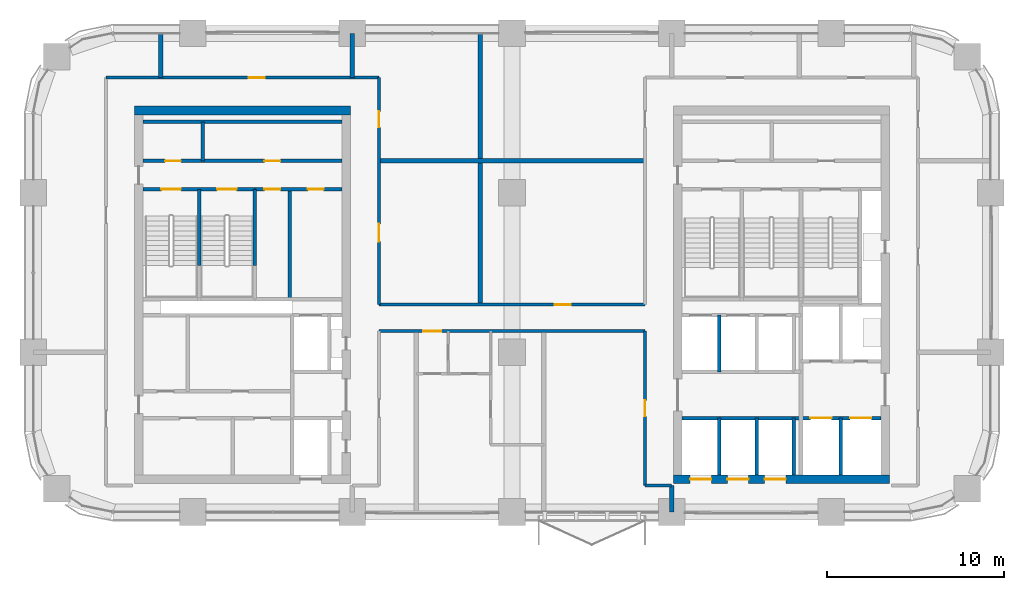
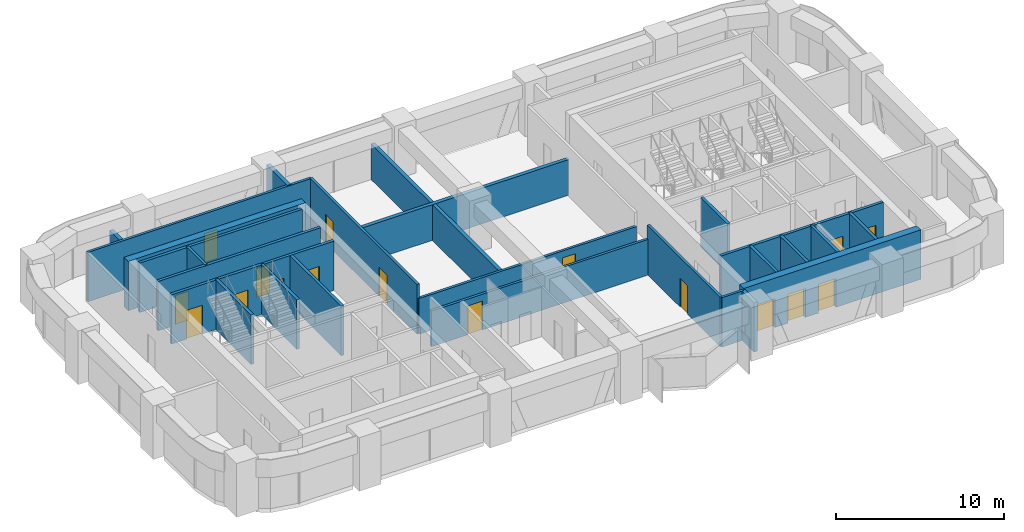
# One storey, part 10 of 14: 27 walls, 17 doors, 17 openings.
"""IFC4 building model written with IfcOpenShell, lengths in metres."""

from ifc_helpers import new_model, si_unit, direction, frame, frame_2d, origin, place, context, subcontext, project, spatial, rectangle, extrude, material, layer, layer_set, type_object, element, fill, save


model = new_model("IFC4")

# Units and contexts
model_context = context("Model", 3, precision=1e-05, world=origin(), true_north=direction((0.0, 1.0)))
body_context = subcontext(model_context, "Body", "Model", "MODEL_VIEW")
ifc_project = project(units=[si_unit("LENGTHUNIT", "METRE"), si_unit("AREAUNIT", "SQUARE_METRE"), si_unit("VOLUMEUNIT", "CUBIC_METRE"), si_unit("PLANEANGLEUNIT", "RADIAN"), si_unit("MASSUNIT", "GRAM", prefix="KILO")], contexts=[model_context])

# Site, building, storey
site_placement = place(None, origin())
site = spatial("IfcSite", under=ifc_project, at=site_placement, CompositionType="ELEMENT")
building_placement = place(site_placement, origin())
building = spatial("IfcBuilding", under=site, at=building_placement, Name="Tessera Arch", CompositionType="ELEMENT")
storey_placement = place(building_placement, frame((0.0, 0.0, 146.60009765625)))
storey = spatial("IfcBuildingStorey", under=building, at=storey_placement, Name="L34", CompositionType="ELEMENT", Elevation=146.60009765625)

# Walls
ifc_material_1 = material(Name="Gypsum board on steel stud", Category="steel")
ifc_layer_1 = layer(ifc_material_1, 0.125)
ifc_layer_set_1 = layer_set([ifc_layer_1], Name="Core partition 125 EI 60")
wall_type_1 = type_object("IfcWallType", Name="Core partition 125 EI 60", PredefinedType="PARTITIONING", material=ifc_layer_set_1)
wall_1_placement = place(storey_placement, frame((9.56005859375, 46.800048828125, 0.0), z_axis=(0.0, 0.0, 1.0), x_axis=(0.0, 1.0, 0.0)))
element("IfcWall", 1, at=wall_1_placement, inside=storey, type_object=wall_type_1, Name="L34 C2 partition wall 4", PredefinedType="PARTITIONING", context=body_context, shape_type="SweptSolid", body=[
    extrude(rectangle(XDim=2.199951171875, YDim=0.199951171875, at=frame_2d((1.10009765625, 0.0))), origin(), (0.0, 0.0, 1.0), 3.599853515625),
])
wall_2_placement = place(storey_placement, frame((14.4599609375, 39.0, 0.0), z_axis=(0.0, 0.0, 1.0), x_axis=(0.0, 1.0, 0.0)))
element("IfcWall", 2, at=wall_2_placement, inside=storey, type_object=wall_type_1, Name="L34 C2 partition wall 8", PredefinedType="PARTITIONING", context=body_context, shape_type="SweptSolid", body=[
    extrude(rectangle(XDim=6.199951171875, YDim=0.199951171875, at=frame_2d((3.10009765625, 0.0))), origin(), (0.0, 0.0, 1.0), 3.599853515625),
])

# Wall, openings, doors
wall_3_placement = place(storey_placement, frame((12.5, 45.199951171875, 0.0), z_axis=(0.0, 0.0, 1.0), x_axis=(1.0, 0.0, 0.0)))
wall_3 = element("IfcWall", 3, at=wall_3_placement, inside=storey, type_object=wall_type_1, Name="L34 C2 partition wall 23", PredefinedType="PARTITIONING", context=body_context, shape_type="SweptSolid", body=[
    extrude(rectangle(XDim=4.89990234375, YDim=0.199951171875, at=frame_2d((2.449951171875, 0.0))), origin(), (0.0, 0.0, 1.0), 3.599853515625),
])
opening_1_placement = place(wall_3_placement, frame((0.530029296875, 0.0, 0.0)))
opening_1 = element("IfcOpeningElement", 4, at=opening_1_placement, cuts=wall_3, Name="Opening L34-C31", PredefinedType="OPENING", context=body_context, shape_type="SweptSolid", body=[
    extrude(rectangle(XDim=0.89990234375, YDim=2.10009765625, at=frame_2d((0.449951171875, 1.050048828125))), frame((0.0, 0.10986328125, 0.0), z_axis=(0.0, -1.0, 0.0), x_axis=(1.0, 0.0, 0.0)), (0.0, 0.0, 1.0), 0.219970703125),
])
opening_2_placement = place(wall_3_placement, frame((2.97998046875, 0.0, 0.0)))
opening_2 = element("IfcOpeningElement", 5, at=opening_2_placement, cuts=wall_3, Name="Opening L34-C32", PredefinedType="OPENING", context=body_context, shape_type="SweptSolid", body=[
    extrude(rectangle(XDim=0.89990234375, YDim=2.10009765625, at=frame_2d((0.449951171875, 1.050048828125))), frame((0.0, 0.10986328125, 0.0), z_axis=(0.0, -1.0, 0.0), x_axis=(1.0, 0.0, 0.0)), (0.0, 0.0, 1.0), 0.219970703125),
])
ifc_material_2 = material(Name="Steel door leaf", Category="steel")
door_type_1 = type_object("IfcDoorType", Name="Store door FD30S 900 x 2100", OperationType="SINGLE_SWING_LEFT", PredefinedType="DOOR", material=ifc_material_2)
door_1_placement = place(opening_1_placement, origin())
door_1 = element("IfcDoor", 6, at=door_1_placement, inside=storey, type_object=door_type_1, Name="L34 C2 door 12 C31 type D09", OperationType="SINGLE_SWING_LEFT", OverallHeight=2.10009765625, OverallWidth=0.89990234375, PredefinedType="DOOR", context=body_context, shape_type="SweptSolid", body=[
    extrude(rectangle(XDim=0.89990234375, YDim=2.10009765625, at=frame_2d((0.449951171875, 1.050048828125))), frame((0.0, 0.02490234375, 0.0), z_axis=(0.0, -1.0, 0.0), x_axis=(1.0, 0.0, 0.0)), (0.0, 0.0, 1.0), 0.050048828125),
])
fill(opening_1, door_1)
door_2_placement = place(opening_2_placement, origin())
door_2 = element("IfcDoor", 7, at=door_2_placement, inside=storey, type_object=door_type_1, Name="L34 C2 door 13 C32 type D09", OperationType="SINGLE_SWING_RIGHT", OverallHeight=2.10009765625, OverallWidth=0.89990234375, PredefinedType="DOOR", context=body_context, shape_type="SweptSolid", body=[
    extrude(rectangle(XDim=0.89990234375, YDim=2.10009765625, at=frame_2d((0.449951171875, 1.050048828125))), frame((0.0, 0.02490234375, 0.0), z_axis=(0.0, -1.0, 0.0), x_axis=(1.0, 0.0, 0.0)), (0.0, 0.0, 1.0), 0.050048828125),
])
fill(opening_2, door_2)

wall_4_placement = place(storey_placement, frame((6.199951171875, 46.800048828125, 0.0), z_axis=(0.0, 0.0, 1.0), x_axis=(1.0, 0.0, 0.0)))
wall_4 = element("IfcWall", 8, at=wall_4_placement, inside=storey, type_object=wall_type_1, Name="L34 C2 partition wall 25", PredefinedType="PARTITIONING", context=body_context, shape_type="SweptSolid", body=[
    extrude(rectangle(XDim=11.199951171875, YDim=0.199951171875, at=frame_2d((5.60009765625, 0.0))), origin(), (0.0, 0.0, 1.0), 3.599853515625),
])
opening_3_placement = place(wall_4_placement, frame((1.22998046875, 0.0, 0.0)))
opening_3 = element("IfcOpeningElement", 9, at=opening_3_placement, cuts=wall_4, Name="Opening L34-C29", PredefinedType="OPENING", context=body_context, shape_type="SweptSolid", body=[
    extrude(rectangle(XDim=0.89990234375, YDim=2.10009765625, at=frame_2d((0.449951171875, 1.050048828125))), frame((0.0, 0.10986328125, 0.0), z_axis=(0.0, -1.0, 0.0), x_axis=(1.0, 0.0, 0.0)), (0.0, 0.0, 1.0), 0.219970703125),
])
opening_4_placement = place(wall_4_placement, frame((6.830078125, 0.0, 0.0)))
opening_4 = element("IfcOpeningElement", 10, at=opening_4_placement, cuts=wall_4, Name="Opening L34-C30", PredefinedType="OPENING", context=body_context, shape_type="SweptSolid", body=[
    extrude(rectangle(XDim=0.89990234375, YDim=2.10009765625, at=frame_2d((0.449951171875, 1.050048828125))), frame((0.0, 0.10986328125, 0.0), z_axis=(0.0, -1.0, 0.0), x_axis=(1.0, 0.0, 0.0)), (0.0, 0.0, 1.0), 0.219970703125),
])
door_3_placement = place(opening_3_placement, origin())
door_3 = element("IfcDoor", 11, at=door_3_placement, inside=storey, type_object=door_type_1, Name="L34 C2 door 10 C29 type D09", OperationType="SINGLE_SWING_LEFT", OverallHeight=2.10009765625, OverallWidth=0.89990234375, PredefinedType="DOOR", context=body_context, shape_type="SweptSolid", body=[
    extrude(rectangle(XDim=0.89990234375, YDim=2.10009765625, at=frame_2d((0.449951171875, 1.050048828125))), frame((0.0, 0.02490234375, 0.0), z_axis=(0.0, -1.0, 0.0), x_axis=(1.0, 0.0, 0.0)), (0.0, 0.0, 1.0), 0.050048828125),
])
fill(opening_3, door_3)
door_4_placement = place(opening_4_placement, origin())
door_4 = element("IfcDoor", 12, at=door_4_placement, inside=storey, type_object=door_type_1, Name="L34 C2 door 11 C30 type D09", OperationType="SINGLE_SWING_RIGHT", OverallHeight=2.10009765625, OverallWidth=0.89990234375, PredefinedType="DOOR", context=body_context, shape_type="SweptSolid", body=[
    extrude(rectangle(XDim=0.89990234375, YDim=2.10009765625, at=frame_2d((0.449951171875, 1.050048828125))), frame((0.0, 0.02490234375, 0.0), z_axis=(0.0, -1.0, 0.0), x_axis=(1.0, 0.0, 0.0)), (0.0, 0.0, 1.0), 0.050048828125),
])
fill(opening_4, door_4)

# Wall
wall_5_placement = place(storey_placement, frame((6.199951171875, 49.0, 0.0), z_axis=(0.0, 0.0, 1.0), x_axis=(1.0, 0.0, 0.0)))
element("IfcWall", 13, at=wall_5_placement, inside=storey, type_object=wall_type_1, Name="L34 C2 partition wall 26", PredefinedType="PARTITIONING", context=body_context, shape_type="SweptSolid", body=[
    extrude(rectangle(XDim=11.199951171875, YDim=0.199951171875, at=frame_2d((5.60009765625, 0.0))), origin(), (0.0, 0.0, 1.0), 3.599853515625),
])

# Wall, openings, doors
ifc_material_3 = material(Name="Concrete C60/75", Category="concrete")
ifc_layer_2 = layer(ifc_material_3, 0.5)
ifc_layer_set_2 = layer_set([ifc_layer_2], Name="Core shell wall 500 C60-75")
wall_type_2 = type_object("IfcWallType", Name="Core shell wall 500 C60-75", PredefinedType="SHEAR", material=ifc_layer_set_2)
wall_6_placement = place(storey_placement, frame((36.10009765625, 28.85009765625, 0.0), z_axis=(0.0, 0.0, 1.0), x_axis=(1.0, 0.0, 0.0)))
wall_6 = element("IfcWall", 14, at=wall_6_placement, inside=storey, type_object=wall_type_2, Name="L34 C1 core wall S", PredefinedType="SHEAR", context=body_context, shape_type="SweptSolid", body=[
    extrude(rectangle(XDim=12.199951171875, YDim=0.5, at=frame_2d((6.10009765625, 0.0))), origin(), (0.0, 0.0, 1.0), 3.599853515625),
])
opening_5_placement = place(wall_6_placement, frame((0.949951171875, 0.0, 0.0)))
opening_5 = element("IfcOpeningElement", 15, at=opening_5_placement, cuts=wall_6, Name="Opening L34-C01", PredefinedType="OPENING", context=body_context, shape_type="SweptSolid", body=[
    extrude(rectangle(XDim=1.199951171875, YDim=2.10009765625, at=frame_2d((0.60009765625, 1.050048828125))), frame((0.0, 0.260009765625, 0.0), z_axis=(0.0, -1.0, 0.0), x_axis=(1.0, 0.0, 0.0)), (0.0, 0.0, 1.0), 0.52001953125),
])
opening_6_placement = place(wall_6_placement, frame((3.050048828125, 0.0, 0.0)))
opening_6 = element("IfcOpeningElement", 16, at=opening_6_placement, cuts=wall_6, Name="Opening L34-C03", PredefinedType="OPENING", context=body_context, shape_type="SweptSolid", body=[
    extrude(rectangle(XDim=1.199951171875, YDim=2.10009765625, at=frame_2d((0.60009765625, 1.050048828125))), frame((0.0, 0.260009765625, 0.0), z_axis=(0.0, -1.0, 0.0), x_axis=(1.0, 0.0, 0.0)), (0.0, 0.0, 1.0), 0.52001953125),
])
opening_7_placement = place(wall_6_placement, frame((5.14990234375, 0.0, 0.0)))
opening_7 = element("IfcOpeningElement", 17, at=opening_7_placement, cuts=wall_6, Name="Opening L34-C05", PredefinedType="OPENING", context=body_context, shape_type="SweptSolid", body=[
    extrude(rectangle(XDim=1.199951171875, YDim=2.10009765625, at=frame_2d((0.60009765625, 1.050048828125))), frame((0.0, 0.260009765625, 0.0), z_axis=(0.0, -1.0, 0.0), x_axis=(1.0, 0.0, 0.0)), (0.0, 0.0, 1.0), 0.52001953125),
])
ifc_material_4 = material(Name="Stainless steel AISI 304", Category="steel")
door_type_2 = type_object("IfcDoorType", Name="Sliding landing door 1200 x 2100", OperationType="SLIDING_TO_LEFT", PredefinedType="DOOR", material=ifc_material_4)
door_5_placement = place(opening_5_placement, origin())
door_5 = element("IfcDoor", 18, at=door_5_placement, inside=storey, type_object=door_type_2, Name="L34 HR1 lift landing door C01 type LD", OperationType="SLIDING_TO_LEFT", OverallHeight=2.10009765625, OverallWidth=1.199951171875, PredefinedType="DOOR", context=body_context, shape_type="SweptSolid", body=[
    extrude(rectangle(XDim=1.199951171875, YDim=2.10009765625, at=frame_2d((0.60009765625, 1.050048828125))), frame((0.0, 0.02490234375, 0.0), z_axis=(0.0, -1.0, 0.0), x_axis=(1.0, 0.0, 0.0)), (0.0, 0.0, 1.0), 0.050048828125),
])
fill(opening_5, door_5)
door_6_placement = place(opening_6_placement, origin())
door_6 = element("IfcDoor", 19, at=door_6_placement, inside=storey, type_object=door_type_2, Name="L34 HR2 lift landing door C03 type LD", OperationType="SLIDING_TO_LEFT", OverallHeight=2.10009765625, OverallWidth=1.199951171875, PredefinedType="DOOR", context=body_context, shape_type="SweptSolid", body=[
    extrude(rectangle(XDim=1.199951171875, YDim=2.10009765625, at=frame_2d((0.60009765625, 1.050048828125))), frame((0.0, 0.02490234375, 0.0), z_axis=(0.0, -1.0, 0.0), x_axis=(1.0, 0.0, 0.0)), (0.0, 0.0, 1.0), 0.050048828125),
])
fill(opening_6, door_6)
door_7_placement = place(opening_7_placement, origin())
door_7 = element("IfcDoor", 20, at=door_7_placement, inside=storey, type_object=door_type_2, Name="L34 HR3 lift landing door C05 type LD", OperationType="SLIDING_TO_LEFT", OverallHeight=2.10009765625, OverallWidth=1.199951171875, PredefinedType="DOOR", context=body_context, shape_type="SweptSolid", body=[
    extrude(rectangle(XDim=1.199951171875, YDim=2.10009765625, at=frame_2d((0.60009765625, 1.050048828125))), frame((0.0, 0.02490234375, 0.0), z_axis=(0.0, -1.0, 0.0), x_axis=(1.0, 0.0, 0.0)), (0.0, 0.0, 1.0), 0.050048828125),
])
fill(opening_7, door_7)

# Walls
wall_7_placement = place(storey_placement, frame((5.699951171875, 49.64990234375, 0.0), z_axis=(0.0, 0.0, 1.0), x_axis=(1.0, 0.0, 0.0)))
element("IfcWall", 21, at=wall_7_placement, inside=storey, type_object=wall_type_2, Name="L34 C2 core wall N", PredefinedType="SHEAR", context=body_context, shape_type="SweptSolid", body=[
    extrude(rectangle(XDim=12.199951171875, YDim=0.5, at=frame_2d((6.10009765625, 0.0))), origin(), (0.0, 0.0, 1.0), 3.599853515625),
])
ifc_material_5 = material(Name="Gypsum board on deep steel stud with mineral wool", Category="steel")
ifc_layer_3 = layer(ifc_material_5, 0.175048828125)
ifc_layer_set_3 = layer_set([ifc_layer_3], Name="Corridor wall 175 EI 60")
wall_type_3 = type_object("IfcWallType", Name="Corridor wall 175 EI 60", PredefinedType="PARTITIONING", material=ifc_layer_set_3)
wall_8_placement = place(storey_placement, frame((34.5, 28.5, 0.0), z_axis=(0.0, 0.0, 1.0), x_axis=(1.0, 0.0, 0.0)))
element("IfcWall", 22, at=wall_8_placement, inside=storey, type_object=wall_type_3, Name="L34 partition 3", PredefinedType="PARTITIONING", context=body_context, shape_type="SweptSolid", body=[
    extrude(rectangle(XDim=1.5, YDim=0.175048828125, at=frame_2d((0.75, 0.0))), origin(), (0.0, 0.0, 1.0), 3.599853515625),
])

# Wall, opening, door
wall_9_placement = place(storey_placement, frame((19.5, 37.199951171875, 0.0), z_axis=(0.0, 0.0, 1.0), x_axis=(1.0, 0.0, 0.0)))
wall_9 = element("IfcWall", 23, at=wall_9_placement, inside=storey, type_object=wall_type_3, Name="L34 partition 5", PredefinedType="PARTITIONING", context=body_context, shape_type="SweptSolid", body=[
    extrude(rectangle(XDim=15.0, YDim=0.175048828125, at=frame_2d((7.5, 0.0))), origin(), (0.0, 0.0, 1.0), 2.599853515625),
])
opening_8_placement = place(wall_9_placement, frame((2.5, 0.0, 0.0)))
opening_8 = element("IfcOpeningElement", 24, at=opening_8_placement, cuts=wall_9, Name="Opening L34-D005", PredefinedType="OPENING", context=body_context, shape_type="SweptSolid", body=[
    extrude(rectangle(XDim=1.0, YDim=2.10009765625, at=frame_2d((0.5, 1.050048828125))), frame((0.0, 0.097412109375, 0.0), z_axis=(0.0, -1.0, 0.0), x_axis=(1.0, 0.0, 0.0)), (0.0, 0.0, 1.0), 0.195068359375),
])
ifc_material_6 = material(Name="Fire-rated door leaf")
door_type_3 = type_object("IfcDoorType", Name="Entrance door FD30S 1000 x 2100", OperationType="SINGLE_SWING_LEFT", PredefinedType="DOOR", material=ifc_material_6)
door_8_placement = place(opening_8_placement, origin())
door_8 = element("IfcDoor", 25, at=door_8_placement, inside=storey, type_object=door_type_3, Name="L34 door D005 type D03", OperationType="SINGLE_SWING_RIGHT", OverallHeight=2.10009765625, OverallWidth=1.0, PredefinedType="DOOR", context=body_context, shape_type="SweptSolid", body=[
    extrude(rectangle(XDim=1.0, YDim=2.10009765625, at=frame_2d((0.5, 1.050048828125))), frame((0.0, 0.02490234375, 0.0), z_axis=(0.0, -1.0, 0.0), x_axis=(1.0, 0.0, 0.0)), (0.0, 0.0, 1.0), 0.050048828125),
])
fill(opening_8, door_8)

wall_10_placement = place(storey_placement, frame((19.5, 38.699951171875, 0.0), z_axis=(0.0, 0.0, 1.0), x_axis=(1.0, 0.0, 0.0)))
wall_10 = element("IfcWall", 26, at=wall_10_placement, inside=storey, type_object=wall_type_3, Name="L34 partition 6", PredefinedType="PARTITIONING", context=body_context, shape_type="SweptSolid", body=[
    extrude(rectangle(XDim=15.0, YDim=0.175048828125, at=frame_2d((7.5, 0.0))), origin(), (0.0, 0.0, 1.0), 2.599853515625),
])
opening_9_placement = place(wall_10_placement, frame((9.89990234375, 0.0, 0.0)))
opening_9 = element("IfcOpeningElement", 27, at=opening_9_placement, cuts=wall_10, Name="Opening L34-D012", PredefinedType="OPENING", context=body_context, shape_type="SweptSolid", body=[
    extrude(rectangle(XDim=0.89990234375, YDim=2.10009765625, at=frame_2d((0.449951171875, 1.050048828125))), frame((0.0, 0.097412109375, 0.0), z_axis=(0.0, -1.0, 0.0), x_axis=(1.0, 0.0, 0.0)), (0.0, 0.0, 1.0), 0.195068359375),
])
ifc_material_7 = material(Name="Timber door leaf", Category="wood")
door_type_4 = type_object("IfcDoorType", Name="Room door 900 x 2100", OperationType="SINGLE_SWING_LEFT", PredefinedType="DOOR", material=ifc_material_7)
door_9_placement = place(opening_9_placement, origin())
door_9 = element("IfcDoor", 28, at=door_9_placement, inside=storey, type_object=door_type_4, Name="L34 door D012 type D01", OperationType="SINGLE_SWING_RIGHT", OverallHeight=2.10009765625, OverallWidth=0.89990234375, PredefinedType="DOOR", context=body_context, shape_type="SweptSolid", body=[
    extrude(rectangle(XDim=0.89990234375, YDim=2.10009765625, at=frame_2d((0.449951171875, 1.050048828125))), frame((0.0, 0.02490234375, 0.0), z_axis=(0.0, -1.0, 0.0), x_axis=(1.0, 0.0, 0.0)), (0.0, 0.0, 1.0), 0.050048828125),
])
fill(opening_9, door_9)

wall_11_placement = place(storey_placement, frame((4.10009765625, 51.5, 0.0), z_axis=(0.0, 0.0, 1.0), x_axis=(1.0, 0.0, 0.0)))
wall_11 = element("IfcWall", 29, at=wall_11_placement, inside=storey, type_object=wall_type_3, Name="L34 partition 7", PredefinedType="PARTITIONING", context=body_context, shape_type="SweptSolid", body=[
    extrude(rectangle(XDim=15.39990234375, YDim=0.175048828125, at=frame_2d((7.699951171875, 0.0))), origin(), (0.0, 0.0, 1.0), 3.599853515625),
])
opening_10_placement = place(wall_11_placement, frame((8.050048828125, 0.0, 0.0)))
opening_10 = element("IfcOpeningElement", 30, at=opening_10_placement, cuts=wall_11, Name="Opening L34-D018", PredefinedType="OPENING", context=body_context, shape_type="SweptSolid", body=[
    extrude(rectangle(XDim=0.89990234375, YDim=2.10009765625, at=frame_2d((0.449951171875, 1.050048828125))), frame((0.0, 0.097412109375, 0.0), z_axis=(0.0, -1.0, 0.0), x_axis=(1.0, 0.0, 0.0)), (0.0, 0.0, 1.0), 0.195068359375),
])
door_10_placement = place(opening_10_placement, origin())
door_10 = element("IfcDoor", 31, at=door_10_placement, inside=storey, type_object=door_type_4, Name="L34 door D018 type D01", OperationType="SINGLE_SWING_RIGHT", OverallHeight=2.10009765625, OverallWidth=0.89990234375, PredefinedType="DOOR", context=body_context, shape_type="SweptSolid", body=[
    extrude(rectangle(XDim=0.89990234375, YDim=2.10009765625, at=frame_2d((0.449951171875, 1.050048828125))), frame((0.0, 0.02490234375, 0.0), z_axis=(0.0, -1.0, 0.0), x_axis=(1.0, 0.0, 0.0)), (0.0, 0.0, 1.0), 0.050048828125),
])
fill(opening_10, door_10)

# Wall, openings, doors
wall_12_placement = place(storey_placement, frame((19.5, 38.699951171875, 0.0), z_axis=(0.0, 0.0, 1.0), x_axis=(0.0, 1.0, 0.0)))
wall_12 = element("IfcWall", 32, at=wall_12_placement, inside=storey, type_object=wall_type_3, Name="L34 partition 11", PredefinedType="PARTITIONING", context=body_context, shape_type="SweptSolid", body=[
    extrude(rectangle(XDim=12.800048828125, YDim=0.175048828125, at=frame_2d((6.39990234375, 0.0))), origin(), (0.0, 0.0, 1.0), 3.599853515625),
])
opening_11_placement = place(wall_12_placement, frame((3.550048828125, 0.0, 0.0)))
opening_11 = element("IfcOpeningElement", 33, at=opening_11_placement, cuts=wall_12, Name="Opening L34-D011", PredefinedType="OPENING", context=body_context, shape_type="SweptSolid", body=[
    extrude(rectangle(XDim=1.0, YDim=2.10009765625, at=frame_2d((0.5, 1.050048828125))), frame((0.0, 0.097412109375, 0.0), z_axis=(0.0, -1.0, 0.0), x_axis=(1.0, 0.0, 0.0)), (0.0, 0.0, 1.0), 0.195068359375),
])
opening_12_placement = place(wall_12_placement, frame((10.0, 0.0, 0.0)))
opening_12 = element("IfcOpeningElement", 34, at=opening_12_placement, cuts=wall_12, Name="Opening L34-D016", PredefinedType="OPENING", context=body_context, shape_type="SweptSolid", body=[
    extrude(rectangle(XDim=0.89990234375, YDim=2.10009765625, at=frame_2d((0.449951171875, 1.050048828125))), frame((0.0, 0.097412109375, 0.0), z_axis=(0.0, -1.0, 0.0), x_axis=(1.0, 0.0, 0.0)), (0.0, 0.0, 1.0), 0.195068359375),
])
door_11_placement = place(opening_11_placement, origin())
door_11 = element("IfcDoor", 35, at=door_11_placement, inside=storey, type_object=door_type_3, Name="L34 door D011 type D03", OperationType="SINGLE_SWING_RIGHT", OverallHeight=2.10009765625, OverallWidth=1.0, PredefinedType="DOOR", context=body_context, shape_type="SweptSolid", body=[
    extrude(rectangle(XDim=1.0, YDim=2.10009765625, at=frame_2d((0.5, 1.050048828125))), frame((0.0, 0.02490234375, 0.0), z_axis=(0.0, -1.0, 0.0), x_axis=(1.0, 0.0, 0.0)), (0.0, 0.0, 1.0), 0.050048828125),
])
fill(opening_11, door_11)
door_12_placement = place(opening_12_placement, origin())
door_12 = element("IfcDoor", 36, at=door_12_placement, inside=storey, type_object=door_type_4, Name="L34 door D016 type D01", OperationType="SINGLE_SWING_LEFT", OverallHeight=2.10009765625, OverallWidth=0.89990234375, PredefinedType="DOOR", context=body_context, shape_type="SweptSolid", body=[
    extrude(rectangle(XDim=0.89990234375, YDim=2.10009765625, at=frame_2d((0.449951171875, 1.050048828125))), frame((0.0, 0.02490234375, 0.0), z_axis=(0.0, -1.0, 0.0), x_axis=(1.0, 0.0, 0.0)), (0.0, 0.0, 1.0), 0.050048828125),
])
fill(opening_12, door_12)

# Wall, opening, door
wall_13_placement = place(storey_placement, frame((34.5, 28.5, 0.0), z_axis=(0.0, 0.0, 1.0), x_axis=(0.0, 1.0, 0.0)))
wall_13 = element("IfcWall", 37, at=wall_13_placement, inside=storey, type_object=wall_type_3, Name="L34 partition 12", PredefinedType="PARTITIONING", context=body_context, shape_type="SweptSolid", body=[
    extrude(rectangle(XDim=8.699951171875, YDim=0.175048828125, at=frame_2d((4.35009765625, 0.0))), origin(), (0.0, 0.0, 1.0), 3.599853515625),
])
opening_13_placement = place(wall_13_placement, frame((3.89990234375, 0.0, 0.0)))
opening_13 = element("IfcOpeningElement", 38, at=opening_13_placement, cuts=wall_13, Name="Opening L34-D004", PredefinedType="OPENING", context=body_context, shape_type="SweptSolid", body=[
    extrude(rectangle(XDim=0.89990234375, YDim=2.10009765625, at=frame_2d((0.449951171875, 1.050048828125))), frame((0.0, 0.097412109375, 0.0), z_axis=(0.0, -1.0, 0.0), x_axis=(1.0, 0.0, 0.0)), (0.0, 0.0, 1.0), 0.195068359375),
])
door_13_placement = place(opening_13_placement, origin())
door_13 = element("IfcDoor", 39, at=door_13_placement, inside=storey, type_object=door_type_4, Name="L34 door D004 type D01", OperationType="SINGLE_SWING_RIGHT", OverallHeight=2.10009765625, OverallWidth=0.89990234375, PredefinedType="DOOR", context=body_context, shape_type="SweptSolid", body=[
    extrude(rectangle(XDim=0.89990234375, YDim=2.10009765625, at=frame_2d((0.449951171875, 1.050048828125))), frame((0.0, 0.02490234375, 0.0), z_axis=(0.0, -1.0, 0.0), x_axis=(1.0, 0.0, 0.0)), (0.0, 0.0, 1.0), 0.050048828125),
])
fill(opening_13, door_13)

# Walls
ifc_material_8 = material(Name="Double gypsum board on twin steel stud with acoustic mineral wool", Category="steel")
ifc_layer_4 = layer(ifc_material_8, 0.25)
ifc_layer_set_4 = layer_set([ifc_layer_4], Name="Party wall 250 EI 60")
wall_type_4 = type_object("IfcWallType", Name="Party wall 250 EI 60", PredefinedType="PARTITIONING", material=ifc_layer_set_4)
wall_14_placement = place(storey_placement, frame((19.5, 46.800048828125, 0.0), z_axis=(0.0, 0.0, 1.0), x_axis=(1.0, 0.0, 0.0)))
element("IfcWall", 40, at=wall_14_placement, inside=storey, type_object=wall_type_4, Name="L34 partition 20", PredefinedType="PARTITIONING", context=body_context, shape_type="SweptSolid", body=[
    extrude(rectangle(XDim=15.0, YDim=0.25, at=frame_2d((7.5, 0.0))), origin(), (0.0, 0.0, 1.0), 2.599853515625),
])
wall_15_placement = place(storey_placement, frame((7.199951171875, 51.5, 0.0), z_axis=(0.0, 0.0, 1.0), x_axis=(0.0, 1.0, 0.0)))
element("IfcWall", 41, at=wall_15_placement, inside=storey, type_object=wall_type_4, Name="L34 partition 22", PredefinedType="PARTITIONING", context=body_context, shape_type="SweptSolid", body=[
    extrude(rectangle(XDim=2.5, YDim=0.25, at=frame_2d((1.25, 0.0))), origin(), (0.0, 0.0, 1.0), 2.599853515625),
])
wall_16_placement = place(storey_placement, frame((18.0, 51.5, 0.0), z_axis=(0.0, 0.0, 1.0), x_axis=(0.0, 1.0, 0.0)))
element("IfcWall", 42, at=wall_16_placement, inside=storey, type_object=wall_type_4, Name="L34 partition 24", PredefinedType="PARTITIONING", context=body_context, shape_type="SweptSolid", body=[
    extrude(rectangle(XDim=2.5, YDim=0.25, at=frame_2d((1.25, 0.0))), origin(), (0.0, 0.0, 1.0), 3.599853515625),
])
wall_17_placement = place(storey_placement, frame((25.199951171875, 38.699951171875, 0.0), z_axis=(0.0, 0.0, 1.0), x_axis=(0.0, 1.0, 0.0)))
element("IfcWall", 43, at=wall_17_placement, inside=storey, type_object=wall_type_4, Name="L34 partition 26", PredefinedType="PARTITIONING", context=body_context, shape_type="SweptSolid", body=[
    extrude(rectangle(XDim=15.300048828125, YDim=0.25, at=frame_2d((7.64990234375, 0.0))), origin(), (0.0, 0.0, 1.0), 2.599853515625),
])
wall_18_placement = place(storey_placement, frame((36.0, 27.0, 0.0), z_axis=(0.0, 0.0, 1.0), x_axis=(0.0, 1.0, 0.0)))
element("IfcWall", 44, at=wall_18_placement, inside=storey, type_object=wall_type_4, Name="L34 partition 28", PredefinedType="PARTITIONING", context=body_context, shape_type="SweptSolid", body=[
    extrude(rectangle(XDim=1.5, YDim=0.25, at=frame_2d((0.75, 0.0))), origin(), (0.0, 0.0, 1.0), 3.599853515625),
])
ifc_material_9 = material(Name="Concrete C40/50", Category="concrete")
ifc_layer_5 = layer(ifc_material_9, 0.199951171875)
ifc_layer_set_5 = layer_set([ifc_layer_5], Name="Shaft wall 200 EI 120")
wall_type_5 = type_object("IfcWallType", Name="Shaft wall 200 EI 120", PredefinedType="SOLIDWALL", material=ifc_layer_set_5)
wall_19_placement = place(storey_placement, frame((38.699951171875, 29.10009765625, 0.0), z_axis=(0.0, 0.0, 1.0), x_axis=(0.0, 1.0, 0.0)))
element("IfcWall", 45, at=wall_19_placement, inside=storey, type_object=wall_type_5, Name="L34 C1 shaft wall 1", PredefinedType="SOLIDWALL", context=body_context, shape_type="SweptSolid", body=[
    extrude(rectangle(XDim=3.199951171875, YDim=0.199951171875, at=frame_2d((1.60009765625, 0.0))), origin(), (0.0, 0.0, 1.0), 3.599853515625),
])
wall_20_placement = place(storey_placement, frame((38.699951171875, 34.89990234375, 0.0), z_axis=(0.0, 0.0, 1.0), x_axis=(0.0, 1.0, 0.0)))
element("IfcWall", 46, at=wall_20_placement, inside=storey, type_object=wall_type_5, Name="L34 C1 shaft wall 2", PredefinedType="SOLIDWALL", context=body_context, shape_type="SweptSolid", body=[
    extrude(rectangle(XDim=3.2001953125, YDim=0.199951171875, at=frame_2d((1.60009765625, 0.0))), origin(), (0.0, 0.0, 1.0), 3.599853515625),
])
for number, where, z_axis, x_axis, name in (
    (47, (40.800048828125, 29.10009765625, 0.0), (0.0, 0.0, 1.0), (0.0, 1.0, 0.0), "L34 C1 shaft wall 5"),
    (48, (42.89990234375, 29.10009765625, 0.0), (0.0, 0.0, 1.0), (0.0, 1.0, 0.0), "L34 C1 shaft wall 8"),
    (49, (45.550048828125, 29.10009765625, 0.0), (0.0, 0.0, 1.0), (0.0, 1.0, 0.0), "L34 C1 shaft wall 13"),
):
    element("IfcWall", number, at=place(storey_placement, frame(where, z_axis=z_axis, x_axis=x_axis)), inside=storey, type_object=wall_type_5, Name=name, PredefinedType="SOLIDWALL", context=body_context, shape_type="SweptSolid", body=[
        extrude(rectangle(XDim=3.199951171875, YDim=0.199951171875, at=frame_2d((1.60009765625, 0.0))), origin(), (0.0, 0.0, 1.0), 3.599853515625),
    ])

# Wall, openings, doors
wall_21_placement = place(storey_placement, frame((36.60009765625, 32.300048828125, 0.0), z_axis=(0.0, 0.0, 1.0), x_axis=(1.0, 0.0, 0.0)))
wall_21 = element("IfcWall", 50, at=wall_21_placement, inside=storey, type_object=wall_type_5, Name="L34 C1 shaft wall 18", PredefinedType="SOLIDWALL", context=body_context, shape_type="SweptSolid", body=[
    extrude(rectangle(XDim=11.199951171875, YDim=0.199951171875, at=frame_2d((5.60009765625, 0.0))), origin(), (0.0, 0.0, 1.0), 3.599853515625),
])
opening_14_placement = place(wall_21_placement, frame((7.22509765625, 0.0, 0.0)))
opening_14 = element("IfcOpeningElement", 51, at=opening_14_placement, cuts=wall_21, Name="Opening L34-C07", PredefinedType="OPENING", context=body_context, shape_type="SweptSolid", body=[
    extrude(rectangle(XDim=1.199951171875, YDim=2.10009765625, at=frame_2d((0.60009765625, 1.050048828125))), frame((0.0, 0.10986328125, 0.0), z_axis=(0.0, -1.0, 0.0), x_axis=(1.0, 0.0, 0.0)), (0.0, 0.0, 1.0), 0.219970703125),
])
opening_15_placement = place(wall_21_placement, frame((9.47509765625, 0.0, 0.0)))
opening_15 = element("IfcOpeningElement", 52, at=opening_15_placement, cuts=wall_21, Name="Opening L34-C08", PredefinedType="OPENING", context=body_context, shape_type="SweptSolid", body=[
    extrude(rectangle(XDim=1.199951171875, YDim=2.10009765625, at=frame_2d((0.60009765625, 1.050048828125))), frame((0.0, 0.10986328125, 0.0), z_axis=(0.0, -1.0, 0.0), x_axis=(1.0, 0.0, 0.0)), (0.0, 0.0, 1.0), 0.219970703125),
])
door_14_placement = place(opening_14_placement, origin())
door_14 = element("IfcDoor", 53, at=door_14_placement, inside=storey, type_object=door_type_2, Name="L34 FF1 lift landing door C07 type LD", OperationType="SLIDING_TO_LEFT", OverallHeight=2.10009765625, OverallWidth=1.199951171875, PredefinedType="DOOR", context=body_context, shape_type="SweptSolid", body=[
    extrude(rectangle(XDim=1.199951171875, YDim=2.10009765625, at=frame_2d((0.60009765625, 1.050048828125))), frame((0.0, 0.02490234375, 0.0), z_axis=(0.0, -1.0, 0.0), x_axis=(1.0, 0.0, 0.0)), (0.0, 0.0, 1.0), 0.050048828125),
])
fill(opening_14, door_14)
door_15_placement = place(opening_15_placement, origin())
door_15 = element("IfcDoor", 54, at=door_15_placement, inside=storey, type_object=door_type_2, Name="L34 FF2 lift landing door C08 type LD", OperationType="SLIDING_TO_LEFT", OverallHeight=2.10009765625, OverallWidth=1.199951171875, PredefinedType="DOOR", context=body_context, shape_type="SweptSolid", body=[
    extrude(rectangle(XDim=1.199951171875, YDim=2.10009765625, at=frame_2d((0.60009765625, 1.050048828125))), frame((0.0, 0.02490234375, 0.0), z_axis=(0.0, -1.0, 0.0), x_axis=(1.0, 0.0, 0.0)), (0.0, 0.0, 1.0), 0.050048828125),
])
fill(opening_15, door_15)

# Walls
ifc_material_10 = material(Name="Concrete C40/50", Category="concrete")
ifc_layer_6 = layer(ifc_material_10, 0.199951171875)
ifc_layer_set_6 = layer_set([ifc_layer_6], Name="Stair well wall 200 REI 180")
wall_type_6 = type_object("IfcWallType", Name="Stair well wall 200 REI 180", PredefinedType="SOLIDWALL", material=ifc_layer_set_6)
for number, where, z_axis, x_axis, name in (
    (55, (9.35009765625, 40.89990234375, 0.0), (0.0, 0.0, 1.0), (0.0, 1.0, 0.0), "L34 C2 shaft wall 3"),
    (56, (12.5, 40.89990234375, 0.0), (0.0, 0.0, 1.0), (0.0, 1.0, 0.0), "L34 C2 shaft wall 7"),
):
    element("IfcWall", number, at=place(storey_placement, frame(where, z_axis=z_axis, x_axis=x_axis)), inside=storey, type_object=wall_type_6, Name=name, PredefinedType="SOLIDWALL", context=body_context, shape_type="SweptSolid", body=[
        extrude(rectangle(XDim=4.300048828125, YDim=0.199951171875, at=frame_2d((2.14990234375, 0.0))), origin(), (0.0, 0.0, 1.0), 3.599853515625),
    ])

# Wall, openings, doors
wall_22_placement = place(storey_placement, frame((6.199951171875, 45.199951171875, 0.0), z_axis=(0.0, 0.0, 1.0), x_axis=(1.0, 0.0, 0.0)))
wall_22 = element("IfcWall", 57, at=wall_22_placement, inside=storey, type_object=wall_type_6, Name="L34 C2 shaft wall 24", PredefinedType="SOLIDWALL", context=body_context, shape_type="SweptSolid", body=[
    extrude(rectangle(XDim=6.300048828125, YDim=0.199951171875, at=frame_2d((3.14990234375, 0.0))), origin(), (0.0, 0.0, 1.0), 3.599853515625),
])
opening_16_placement = place(wall_22_placement, frame((1.02490234375, 0.0, 0.0)))
opening_16 = element("IfcOpeningElement", 58, at=opening_16_placement, cuts=wall_22, Name="Opening L34-C24", PredefinedType="OPENING", context=body_context, shape_type="SweptSolid", body=[
    extrude(rectangle(XDim=1.10009765625, YDim=2.10009765625, at=frame_2d((0.550048828125, 1.050048828125))), frame((0.0, 0.10986328125, 0.0), z_axis=(0.0, -1.0, 0.0), x_axis=(1.0, 0.0, 0.0)), (0.0, 0.0, 1.0), 0.219970703125),
])
opening_17_placement = place(wall_22_placement, frame((4.175048828125, 0.0, 0.0)))
opening_17 = element("IfcOpeningElement", 59, at=opening_17_placement, cuts=wall_22, Name="Opening L34-C25", PredefinedType="OPENING", context=body_context, shape_type="SweptSolid", body=[
    extrude(rectangle(XDim=1.10009765625, YDim=2.10009765625, at=frame_2d((0.550048828125, 1.050048828125))), frame((0.0, 0.10986328125, 0.0), z_axis=(0.0, -1.0, 0.0), x_axis=(1.0, 0.0, 0.0)), (0.0, 0.0, 1.0), 0.219970703125),
])
ifc_material_11 = material(Name="Steel door leaf", Category="steel")
door_type_5 = type_object("IfcDoorType", Name="Stair door FD60 1100 x 2100", OperationType="SINGLE_SWING_LEFT", PredefinedType="DOOR", material=ifc_material_11)
door_16_placement = place(opening_16_placement, origin())
door_16 = element("IfcDoor", 60, at=door_16_placement, inside=storey, type_object=door_type_5, Name="L34 C2 door 5 C24 type D05", OperationType="SINGLE_SWING_LEFT", OverallHeight=2.10009765625, OverallWidth=1.10009765625, PredefinedType="DOOR", context=body_context, shape_type="SweptSolid", body=[
    extrude(rectangle(XDim=1.10009765625, YDim=2.10009765625, at=frame_2d((0.550048828125, 1.050048828125))), frame((0.0, 0.02490234375, 0.0), z_axis=(0.0, -1.0, 0.0), x_axis=(1.0, 0.0, 0.0)), (0.0, 0.0, 1.0), 0.050048828125),
])
fill(opening_16, door_16)
door_17_placement = place(opening_17_placement, origin())
door_17 = element("IfcDoor", 61, at=door_17_placement, inside=storey, type_object=door_type_5, Name="L34 C2 door 6 C25 type D05", OperationType="SINGLE_SWING_RIGHT", OverallHeight=2.10009765625, OverallWidth=1.10009765625, PredefinedType="DOOR", context=body_context, shape_type="SweptSolid", body=[
    extrude(rectangle(XDim=1.10009765625, YDim=2.10009765625, at=frame_2d((0.550048828125, 1.050048828125))), frame((0.0, 0.02490234375, 0.0), z_axis=(0.0, -1.0, 0.0), x_axis=(1.0, 0.0, 0.0)), (0.0, 0.0, 1.0), 0.050048828125),
])
fill(opening_17, door_17)

save(model, "model.ifc")
